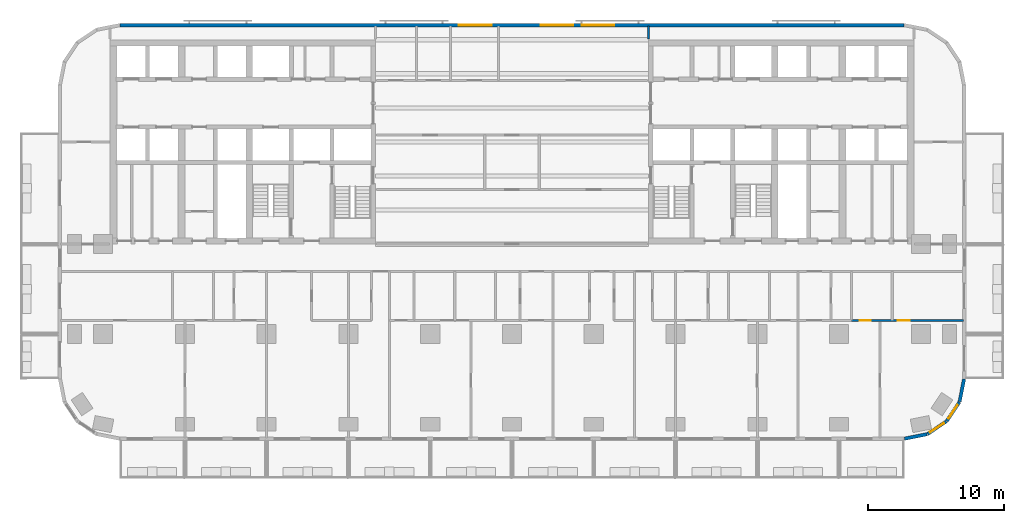
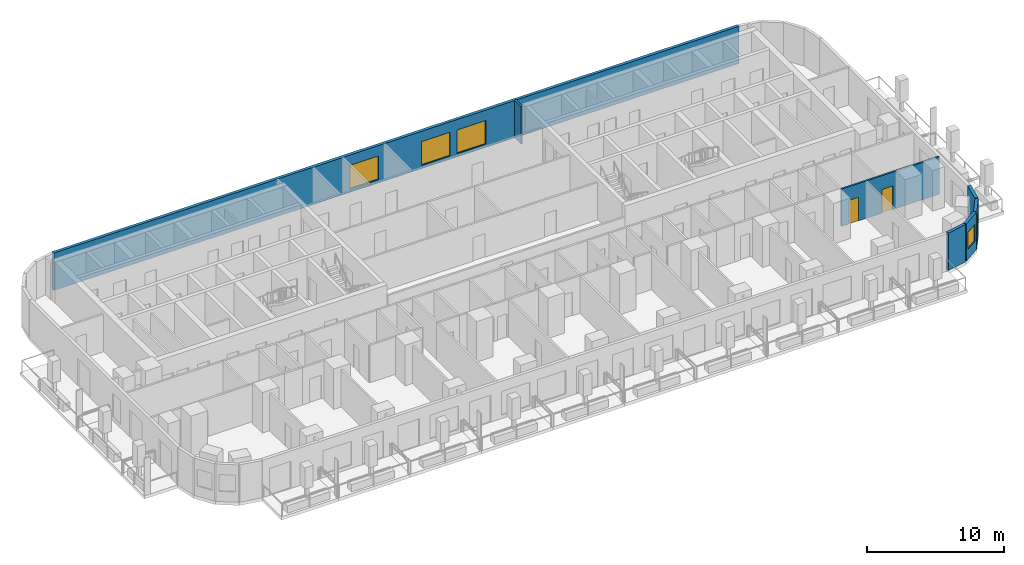
# One storey, part 9 of 15: 7 walls, 5 windows, 2 doors, 7 openings.
"""IFC4 building model written with IfcOpenShell, lengths in metres."""

from ifc_helpers import new_model, si_unit, direction, frame, frame_2d, origin, place, context, subcontext, project, spatial, rectangle, extrude, material, layer, layer_set, type_object, element, fill, save


model = new_model("IFC4")

# Units and contexts
model_context = context("Model", 3, precision=1e-05, world=origin(), true_north=direction((0.0, 1.0)))
body_context = subcontext(model_context, "Body", "Model", "MODEL_VIEW")
ifc_project = project(units=[si_unit("LENGTHUNIT", "METRE"), si_unit("AREAUNIT", "SQUARE_METRE"), si_unit("VOLUMEUNIT", "CUBIC_METRE"), si_unit("PLANEANGLEUNIT", "RADIAN"), si_unit("MASSUNIT", "GRAM", prefix="KILO")], contexts=[model_context])

# Site, building, storey
site_placement = place(None, origin())
site = spatial("IfcSite", under=ifc_project, at=site_placement, CompositionType="ELEMENT")
building_placement = place(site_placement, origin())
building = spatial("IfcBuilding", under=site, at=building_placement, Name="Torana Hotel and Residences", CompositionType="ELEMENT")
storey_placement = place(building_placement, frame((0.0, 0.0, 92.39990234375)))
storey = spatial("IfcBuildingStorey", under=building, at=storey_placement, Name="L23", CompositionType="ELEMENT", Elevation=92.39990234375)

# Wall
ifc_material_1 = material(Name="Black aluminium composite panel", Category="aluminium")
ifc_layer_1 = layer(ifc_material_1, 0.00390625, Name="Cladding", Category="cladding")
ifc_material_2 = material(Name="Ventilated air cavity")
ifc_layer_2 = layer(ifc_material_2, 0.0400390625, Name="Ventilated cavity", Category="cavity")
ifc_material_3 = material(Name="Mineral wool insulation")
ifc_layer_3 = layer(ifc_material_3, 0.090087890625, Name="Insulation", Category="insulation")
ifc_material_4 = material(Name="Steel S280GD", Category="steel")
ifc_layer_4 = layer(ifc_material_4, 0.092041015625, Name="Steel stud frame", Category="structure")
ifc_material_5 = material(Name="Fire rated plasterboard")
ifc_layer_5 = layer(ifc_material_5, 0.011962890625, Name="Inner board", Category="finish")
ifc_layer_6 = layer(ifc_material_5, 0.011962890625, Name="Second board", Category="finish")
ifc_layer_set_1 = layer_set([ifc_layer_1, ifc_layer_2, ifc_layer_3, ifc_layer_4, ifc_layer_5, ifc_layer_6], Name="EW1 EXTERNAL WALL BLACK METAL CLAD 250")
wall_type_1 = type_object("IfcWallType", Name="EW1 EXTERNAL WALL BLACK METAL CLAD 250", PredefinedType="SOLIDWALL", material=ifc_layer_set_1)
wall_1_placement = place(storey_placement, frame((28.7998046875, -29.272705078125, 0.0), z_axis=(0.0, 0.0, 1.0), x_axis=(0.980775640221, 0.19513878023, 0.0)))
element("IfcWall", 1, at=wall_1_placement, inside=storey, type_object=wall_type_1, Name="External wall L23 e0.15", PredefinedType="SOLIDWALL", context=body_context, shape_type="SweptSolid", body=[
    extrude(rectangle(XDim=1.681396484375, YDim=0.25, at=frame_2d((0.8408203125, 0.0))), origin(), (0.0, 0.0, 1.0), 3.320068359375),
])

# Wall, opening, window
wall_2_placement = place(storey_placement, frame((30.493896484375, -28.92578125, 0.0), z_axis=(0.0, 0.0, 1.0), x_axis=(0.831482937015, 0.55555029066, 0.0)))
wall_2 = element("IfcWall", 2, at=wall_2_placement, inside=storey, type_object=wall_type_1, Name="External wall L23 e0.16", PredefinedType="SOLIDWALL", context=body_context, shape_type="SweptSolid", body=[
    extrude(rectangle(XDim=1.65625, YDim=0.25, at=frame_2d((0.828125, 0.0))), origin(), (0.0, 0.0, 1.0), 3.320068359375),
])
opening_1_placement = place(wall_2_placement, frame((0.228271484375, 0.0, 0.89990234375)))
opening_1 = element("IfcOpeningElement", 3, at=opening_1_placement, cuts=wall_2, Name="Opening W5", PredefinedType="OPENING", context=body_context, shape_type="SweptSolid", body=[
    extrude(rectangle(XDim=1.199951171875, YDim=1.5, at=frame_2d((0.60009765625, 0.75))), frame((0.0, 0.135009765625, 0.0), z_axis=(0.0, -1.0, 0.0), x_axis=(1.0, 0.0, 0.0)), (0.0, 0.0, 1.0), 0.27001953125),
])
ifc_material_6 = material(Name="Dark glass in black aluminium frame", Category="aluminium")
window_type_1 = type_object("IfcWindowType", Name="W5 CORNER FACET WINDOW 1200x1500", PartitioningType="SINGLE_PANEL", PredefinedType="WINDOW", material=ifc_material_6)
window_1_placement = place(opening_1_placement, origin())
window_1 = element("IfcWindow", 4, at=window_1_placement, inside=storey, type_object=window_type_1, Name="Window L23 e0.16", OverallHeight=1.5, OverallWidth=1.199951171875, PartitioningType="SINGLE_PANEL", PredefinedType="WINDOW", context=body_context, shape_type="SweptSolid", body=[
    extrude(rectangle(XDim=1.199951171875, YDim=1.5, at=frame_2d((0.60009765625, 0.75))), frame((0.0, 0.030029296875, 0.0), z_axis=(0.0, -1.0, 0.0), x_axis=(1.0, 0.0, 0.0)), (0.0, 0.0, 1.0), 0.06005859375),
])
fill(opening_1, window_1)

wall_3_placement = place(storey_placement, frame((31.90576171875, -27.97119140625, 0.0), z_axis=(0.0, 0.0, 1.0), x_axis=(0.55555029066, 0.831482937015, 0.0)))
wall_3 = element("IfcWall", 5, at=wall_3_placement, inside=storey, type_object=wall_type_1, Name="External wall L23 e0.17", PredefinedType="SOLIDWALL", context=body_context, shape_type="SweptSolid", body=[
    extrude(rectangle(XDim=1.65625, YDim=0.25, at=frame_2d((0.828125, 0.0))), origin(), (0.0, 0.0, 1.0), 3.320068359375),
])
opening_2_placement = place(wall_3_placement, frame((0.228271484375, 0.0, 0.89990234375)))
opening_2 = element("IfcOpeningElement", 6, at=opening_2_placement, cuts=wall_3, Name="Opening W5", PredefinedType="OPENING", context=body_context, shape_type="SweptSolid", body=[
    extrude(rectangle(XDim=1.199951171875, YDim=1.5, at=frame_2d((0.60009765625, 0.75))), frame((0.0, 0.135009765625, 0.0), z_axis=(0.0, -1.0, 0.0), x_axis=(1.0, 0.0, 0.0)), (0.0, 0.0, 1.0), 0.27001953125),
])
window_2_placement = place(opening_2_placement, origin())
window_2 = element("IfcWindow", 7, at=window_2_placement, inside=storey, type_object=window_type_1, Name="Window L23 e0.17", OverallHeight=1.5, OverallWidth=1.199951171875, PartitioningType="SINGLE_PANEL", PredefinedType="WINDOW", context=body_context, shape_type="SweptSolid", body=[
    extrude(rectangle(XDim=1.199951171875, YDim=1.5, at=frame_2d((0.60009765625, 0.75))), frame((0.0, 0.030029296875, 0.0), z_axis=(0.0, -1.0, 0.0), x_axis=(1.0, 0.0, 0.0)), (0.0, 0.0, 1.0), 0.06005859375),
])
fill(opening_2, window_2)

# Wall
wall_4_placement = place(storey_placement, frame((32.844482421875, -26.548828125, 0.0), z_axis=(0.0, 0.0, 1.0), x_axis=(0.195166572128, 0.980770110232, 0.0)))
element("IfcWall", 8, at=wall_4_placement, inside=storey, type_object=wall_type_1, Name="External wall L23 e0.18", PredefinedType="SOLIDWALL", context=body_context, shape_type="SweptSolid", body=[
    extrude(rectangle(XDim=1.68115234375, YDim=0.25, at=frame_2d((0.840576171875, 0.0))), origin(), (0.0, 0.0, 1.0), 3.320068359375),
])

# Wall, openings, windows
ifc_material_7 = material(Name="Concrete C40/50 precast", Category="concrete")
ifc_layer_7 = layer(ifc_material_7, 0.10009765625, Name="Perforated block", Category="cladding")
ifc_material_8 = material(Name="Air cavity")
ifc_layer_8 = layer(ifc_material_8, 0.030029296875, Name="Cavity", Category="cavity")
ifc_material_9 = material(Name="Concrete C40/50", Category="concrete")
ifc_layer_9 = layer(ifc_material_9, 0.10009765625, Name="Wall", Category="structure")
ifc_material_10 = material(Name="Plaster and paint")
ifc_layer_10 = layer(ifc_material_10, 0.02001953125, Name="Inner finish", Category="finish")
ifc_layer_set_2 = layer_set([ifc_layer_7, ifc_layer_8, ifc_layer_9, ifc_layer_10], Name="EW2 PERFORATED BLOCK SCREEN WALL 250")
wall_type_2 = type_object("IfcWallType", Name="EW2 PERFORATED BLOCK SCREEN WALL 250", PredefinedType="SOLIDWALL", material=ifc_layer_set_2)
wall_5_placement = place(storey_placement, frame((28.775390625, 1.074951171875, 0.0), z_axis=(0.0, 0.0, 1.0), x_axis=(-1.0, 0.0, 0.0)))
wall_5 = element("IfcWall", 9, at=wall_5_placement, inside=storey, type_object=wall_type_2, Name="External wall L23 e0.4", PredefinedType="SOLIDWALL", context=body_context, shape_type="SweptSolid", body=[
    extrude(rectangle(XDim=57.55078125, YDim=0.25, at=frame_2d((28.775390625, 0.0))), origin(), (0.0, 0.0, 1.0), 3.320068359375),
])
opening_3_placement = place(wall_5_placement, frame((21.275390625, 0.0, 0.300048828125)))
opening_3 = element("IfcOpeningElement", 10, at=opening_3_placement, cuts=wall_5, Name="Opening W1", PredefinedType="OPENING", context=body_context, shape_type="SweptSolid", body=[
    extrude(rectangle(XDim=2.39990234375, YDim=2.10009765625, at=frame_2d((1.199951171875, 1.050048828125))), frame((0.0, 0.135009765625, 0.0), z_axis=(0.0, -1.0, 0.0), x_axis=(1.0, 0.0, 0.0)), (0.0, 0.0, 1.0), 0.27001953125),
])
opening_4_placement = place(wall_5_placement, frame((24.275390625, 0.0, 0.300048828125)))
opening_4 = element("IfcOpeningElement", 11, at=opening_4_placement, cuts=wall_5, Name="Opening W1", PredefinedType="OPENING", context=body_context, shape_type="SweptSolid", body=[
    extrude(rectangle(XDim=2.39990234375, YDim=2.10009765625, at=frame_2d((1.199951171875, 1.050048828125))), frame((0.0, 0.135009765625, 0.0), z_axis=(0.0, -1.0, 0.0), x_axis=(1.0, 0.0, 0.0)), (0.0, 0.0, 1.0), 0.27001953125),
])
opening_5_placement = place(wall_5_placement, frame((30.275390625, 0.0, 0.300048828125)))
opening_5 = element("IfcOpeningElement", 12, at=opening_5_placement, cuts=wall_5, Name="Opening W1", PredefinedType="OPENING", context=body_context, shape_type="SweptSolid", body=[
    extrude(rectangle(XDim=2.39990234375, YDim=2.10009765625, at=frame_2d((1.199951171875, 1.050048828125))), frame((0.0, 0.135009765625, 0.0), z_axis=(0.0, -1.0, 0.0), x_axis=(1.0, 0.0, 0.0)), (0.0, 0.0, 1.0), 0.27001953125),
])
ifc_material_11 = material(Name="Dark glass in black aluminium frame", Category="aluminium")
window_type_2 = type_object("IfcWindowType", Name="W1 HOTEL ROOM WINDOW 2400x2100", PartitioningType="SINGLE_PANEL", PredefinedType="WINDOW", material=ifc_material_11)
window_3_placement = place(opening_3_placement, origin())
window_3 = element("IfcWindow", 13, at=window_3_placement, inside=storey, type_object=window_type_2, Name="Window L23", OverallHeight=2.10009765625, OverallWidth=2.39990234375, PartitioningType="SINGLE_PANEL", PredefinedType="WINDOW", context=body_context, shape_type="SweptSolid", body=[
    extrude(rectangle(XDim=2.39990234375, YDim=2.10009765625, at=frame_2d((1.199951171875, 1.050048828125))), frame((0.0, 0.030029296875, 0.0), z_axis=(0.0, -1.0, 0.0), x_axis=(1.0, 0.0, 0.0)), (0.0, 0.0, 1.0), 0.06005859375),
])
fill(opening_3, window_3)
window_4_placement = place(opening_4_placement, origin())
window_4 = element("IfcWindow", 14, at=window_4_placement, inside=storey, type_object=window_type_2, Name="Window L23", OverallHeight=2.10009765625, OverallWidth=2.39990234375, PartitioningType="SINGLE_PANEL", PredefinedType="WINDOW", context=body_context, shape_type="SweptSolid", body=[
    extrude(rectangle(XDim=2.39990234375, YDim=2.10009765625, at=frame_2d((1.199951171875, 1.050048828125))), frame((0.0, 0.030029296875, 0.0), z_axis=(0.0, -1.0, 0.0), x_axis=(1.0, 0.0, 0.0)), (0.0, 0.0, 1.0), 0.06005859375),
])
fill(opening_4, window_4)
window_5_placement = place(opening_5_placement, origin())
window_5 = element("IfcWindow", 15, at=window_5_placement, inside=storey, type_object=window_type_2, Name="Window L23", OverallHeight=2.10009765625, OverallWidth=2.39990234375, PartitioningType="SINGLE_PANEL", PredefinedType="WINDOW", context=body_context, shape_type="SweptSolid", body=[
    extrude(rectangle(XDim=2.39990234375, YDim=2.10009765625, at=frame_2d((1.199951171875, 1.050048828125))), frame((0.0, 0.030029296875, 0.0), z_axis=(0.0, -1.0, 0.0), x_axis=(1.0, 0.0, 0.0)), (0.0, 0.0, 1.0), 0.06005859375),
])
fill(opening_5, window_5)

# Wall
ifc_material_12 = material(Name="Gypsum plasterboard")
ifc_layer_11 = layer(ifc_material_12, 0.012451171875, Name="Plasterboard", Category="finish")
ifc_layer_12 = layer(ifc_material_12, 0.012451171875, Name="Plasterboard", Category="finish")
ifc_layer_13 = layer(ifc_material_4, 0.10009765625, Name="Steel studs with mineral wool", Category="insulation")
ifc_layer_14 = layer(ifc_material_12, 0.012451171875, Name="Plasterboard", Category="finish")
ifc_layer_15 = layer(ifc_material_12, 0.012451171875, Name="Plasterboard", Category="finish")
ifc_layer_set_3 = layer_set([ifc_layer_11, ifc_layer_12, ifc_layer_13, ifc_layer_14, ifc_layer_15], Name="PARTITION 150 PLASTERBOARD")
wall_type_3 = type_object("IfcWallType", Name="PARTITION 150 PLASTERBOARD", PredefinedType="PARTITIONING", material=ifc_layer_set_3)
wall_6_placement = place(storey_placement, frame((10.0, 0.050048828125, 0.0), z_axis=(0.0, 0.0, 1.0), x_axis=(0.0, 1.0, 0.0)))
element("IfcWall", 16, at=wall_6_placement, inside=storey, type_object=wall_type_3, Name="Partition L23", PredefinedType="PARTITIONING", context=body_context, shape_type="SweptSolid", body=[
    extrude(rectangle(XDim=0.969970703125, YDim=0.14990234375, at=frame_2d((0.48486328125, 0.0))), origin(), (0.0, 0.0, 1.0), 3.320068359375),
])

# Wall, openings, doors
wall_7_placement = place(storey_placement, frame((24.89990234375, -20.60009765625, 0.0), z_axis=(0.0, 0.0, 1.0), x_axis=(1.0, 0.0, 0.0)))
wall_7 = element("IfcWall", 17, at=wall_7_placement, inside=storey, type_object=wall_type_3, Name="Partition L23", PredefinedType="PARTITIONING", context=body_context, shape_type="SweptSolid", body=[
    extrude(rectangle(XDim=8.22021484375, YDim=0.14990234375, at=frame_2d((4.110107421875, 0.0))), origin(), (0.0, 0.0, 1.0), 3.320068359375),
])
opening_6_placement = place(wall_7_placement, frame((0.6298828125, 0.0, 0.0)))
opening_6 = element("IfcOpeningElement", 18, at=opening_6_placement, cuts=wall_7, Name="Opening L23-81", PredefinedType="OPENING", context=body_context, shape_type="SweptSolid", body=[
    extrude(rectangle(XDim=0.800048828125, YDim=2.10009765625, at=frame_2d((0.39990234375, 1.050048828125))), frame((0.0, 0.0849609375, 0.0), z_axis=(0.0, -1.0, 0.0), x_axis=(1.0, 0.0, 0.0)), (0.0, 0.0, 1.0), 0.169921875),
])
opening_7_placement = place(wall_7_placement, frame((3.39990234375, 0.0, 0.0)))
opening_7 = element("IfcOpeningElement", 19, at=opening_7_placement, cuts=wall_7, Name="Opening L23-82", PredefinedType="OPENING", context=body_context, shape_type="SweptSolid", body=[
    extrude(rectangle(XDim=0.89990234375, YDim=2.10009765625, at=frame_2d((0.449951171875, 1.050048828125))), frame((0.0, 0.0849609375, 0.0), z_axis=(0.0, -1.0, 0.0), x_axis=(1.0, 0.0, 0.0)), (0.0, 0.0, 1.0), 0.169921875),
])
ifc_material_13 = material(Name="Timber door, painted", Category="wood")
door_type_1 = type_object("IfcDoorType", Name="BATH DOOR D13 800x2100", OperationType="SINGLE_SWING_LEFT", PredefinedType="DOOR", material=ifc_material_13)
door_1_placement = place(opening_6_placement, origin())
door_1 = element("IfcDoor", 20, at=door_1_placement, inside=storey, type_object=door_type_1, Name="Door L23", OperationType="SINGLE_SWING_RIGHT", OverallHeight=2.10009765625, OverallWidth=0.800048828125, PredefinedType="DOOR", context=body_context, shape_type="SweptSolid", body=[
    extrude(rectangle(XDim=0.800048828125, YDim=2.10009765625, at=frame_2d((0.39990234375, 1.050048828125))), frame((0.0, 0.02490234375, 0.0), z_axis=(0.0, -1.0, 0.0), x_axis=(1.0, 0.0, 0.0)), (0.0, 0.0, 1.0), 0.050048828125),
])
fill(opening_6, door_1)
ifc_material_14 = material(Name="Timber door, oiled ash", Category="wood")
door_type_2 = type_object("IfcDoorType", Name="ROOM DOOR D7 900x2100", OperationType="SINGLE_SWING_LEFT", PredefinedType="DOOR", material=ifc_material_14)
door_2_placement = place(opening_7_placement, origin())
door_2 = element("IfcDoor", 21, at=door_2_placement, inside=storey, type_object=door_type_2, Name="Door L23", OperationType="SINGLE_SWING_RIGHT", OverallHeight=2.10009765625, OverallWidth=0.89990234375, PredefinedType="DOOR", context=body_context, shape_type="SweptSolid", body=[
    extrude(rectangle(XDim=0.89990234375, YDim=2.10009765625, at=frame_2d((0.449951171875, 1.050048828125))), frame((0.0, 0.02490234375, 0.0), z_axis=(0.0, -1.0, 0.0), x_axis=(1.0, 0.0, 0.0)), (0.0, 0.0, 1.0), 0.050048828125),
])
fill(opening_7, door_2)

save(model, "model.ifc")
